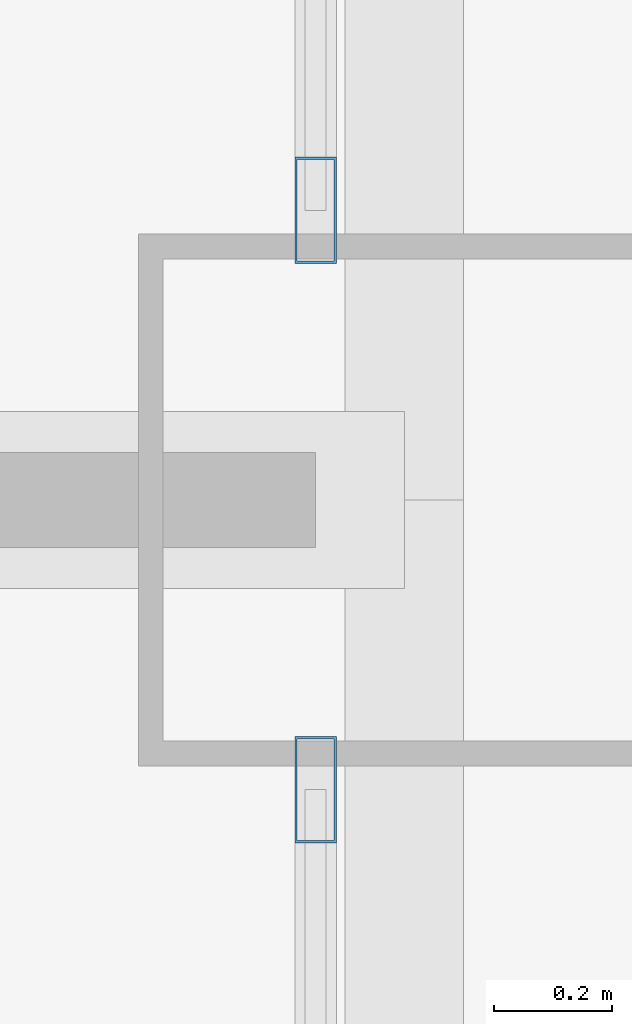
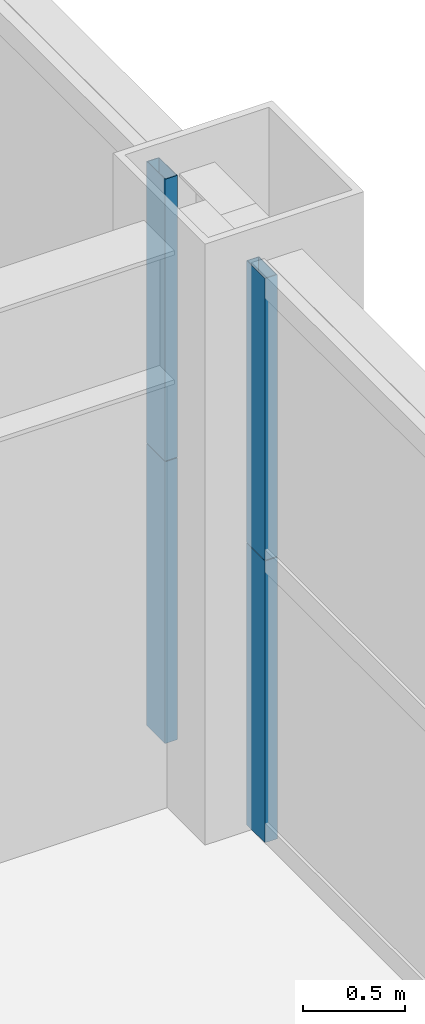
# One storey, part 21 of 43: 4 members, 2 elements without a shape of their own.
"""IFC4 building model written with IfcOpenShell, lengths in metres."""

from ifc_helpers import new_model, si_unit, direction, frame, origin, origin_2d, place, context, subcontext, project, spatial, hollow_rectangle, extrude, source, transform, mapped, material, layer, layer_set, material_profile, profile_set, type_object, element, aggregate, save


model = new_model("IFC4")

# Units and contexts
model_context = context("Model", 3, precision=1e-05, world=origin(), true_north=direction((0.0, 1.0)))
body_context = subcontext(model_context, "Body", "Model", "MODEL_VIEW")
ifc_project = project(units=[si_unit("LENGTHUNIT", "METRE"), si_unit("AREAUNIT", "SQUARE_METRE"), si_unit("VOLUMEUNIT", "CUBIC_METRE"), si_unit("PLANEANGLEUNIT", "RADIAN"), si_unit("MASSUNIT", "GRAM", prefix="KILO"), si_unit("THERMODYNAMICTEMPERATUREUNIT", "KELVIN"), si_unit("POWERUNIT", "WATT")], contexts=[model_context])

# Site, building, storey
site_placement = place(None, origin())
site = spatial("IfcSite", under=ifc_project, at=site_placement, CompositionType="ELEMENT")
building_placement = place(site_placement, origin())
building = spatial("IfcBuilding", under=site, at=building_placement, Name="Yuzanri Waterfront Tower", CompositionType="ELEMENT")
storey_placement = place(building_placement, frame((0.0, 0.0, 78.39990234375)))
storey = spatial("IfcBuildingStorey", under=building, at=storey_placement, Name="L20", CompositionType="ELEMENT", Elevation=78.39990234375)

# Curtain wall, members
ifc_material_1 = material(Name="Anodized Architectural Bronze", Category="metal")
ifc_layer = layer(ifc_material_1, 0.159912109375)
ifc_layer_set = layer_set([ifc_layer], Name="Anodized Architectural Bronze")
curtain_wall_type = type_object("IfcCurtainWallType", Name="Anodized Bronze Hotel Lower-Tier Recessed Unitized Curtain Wall 8100", PredefinedType="NOTDEFINED", material=ifc_layer_set)
curtain_wall_1_placement = place(storey_placement, origin())
curtain_wall_1 = element("IfcCurtainWall", 1, at=curtain_wall_1_placement, inside=storey, type_object=curtain_wall_type, Name="L20 Curtain Wall CW-L20-EL", PredefinedType="NOTDEFINED")
ifc_material_2 = material(Name="Anodized Architectural Bronze", Category="metal")
ifc_material_profile = material_profile(ifc_material_2, hollow_rectangle(XDim=0.070068359375, YDim=0.179931640625, WallThickness=0.00390625, at=origin_2d()), Name="CWM 70x180")
ifc_profile_set = profile_set([ifc_material_profile], Name="Anodized Architectural Bronze")
member_type = type_object("IfcMemberType", Name="Anodized Bronze Standard Curtain-Wall Mullion 70x180", PredefinedType="MULLION", material=ifc_profile_set)
shared_shape = source(origin(), body_context, "Body", "SweptSolid", [
    extrude(hollow_rectangle(XDim=0.070068359375, YDim=0.179931640625, WallThickness=0.00390625, at=origin_2d()), origin(), (0.0, 0.0, 1.0), 1.68798828125),
])
member_1_placement = place(storey_placement, frame((61.949951171875, 25.31005859375, 0.0), z_axis=(0.0, 0.0, 1.0), x_axis=(1.0, 0.0, 0.0)))
member_1 = element("IfcMember", 2, at=member_1_placement, type_object=member_type, Name="CW-L20-EL Lower Mullion 02", PredefinedType="MULLION", context=body_context, shape_type="MappedRepresentation", body=[
    mapped(shared_shape, transform((0.0, 0.0, 0.0), scale=1.0)),
])
member_2_placement = place(storey_placement, frame((61.949951171875, 25.31005859375, 1.692138671875), z_axis=(0.0, 0.0, 1.0), x_axis=(1.0, 0.0, 0.0)))
member_2 = element("IfcMember", 3, at=member_2_placement, type_object=member_type, Name="CW-L20-EL Upper Mullion 02", PredefinedType="MULLION", context=body_context, shape_type="MappedRepresentation", body=[
    mapped(shared_shape, transform((0.0, 0.0, 0.0), scale=1.0)),
])
aggregate(curtain_wall_1, [member_1, member_2])

curtain_wall_2_placement = place(storey_placement, origin())
curtain_wall_2 = element("IfcCurtainWall", 4, at=curtain_wall_2_placement, inside=storey, type_object=curtain_wall_type, Name="L20 Curtain Wall CW-L20-ER", PredefinedType="NOTDEFINED")
member_3_placement = place(storey_placement, frame((61.949951171875, 26.2900390625, 0.0), z_axis=(0.0, 0.0, 1.0), x_axis=(1.0, 0.0, 0.0)))
member_3 = element("IfcMember", 5, at=member_3_placement, type_object=member_type, Name="CW-L20-ER Lower Mullion 00", PredefinedType="MULLION", context=body_context, shape_type="MappedRepresentation", body=[
    mapped(shared_shape, transform((0.0, 0.0, 0.0), scale=1.0)),
])
member_4_placement = place(storey_placement, frame((61.949951171875, 26.2900390625, 1.692138671875), z_axis=(0.0, 0.0, 1.0), x_axis=(1.0, 0.0, 0.0)))
member_4 = element("IfcMember", 6, at=member_4_placement, type_object=member_type, Name="CW-L20-ER Upper Mullion 00", PredefinedType="MULLION", context=body_context, shape_type="MappedRepresentation", body=[
    mapped(shared_shape, transform((0.0, 0.0, 0.0), scale=1.0)),
])
aggregate(curtain_wall_2, [member_3, member_4])

save(model, "model.ifc")
